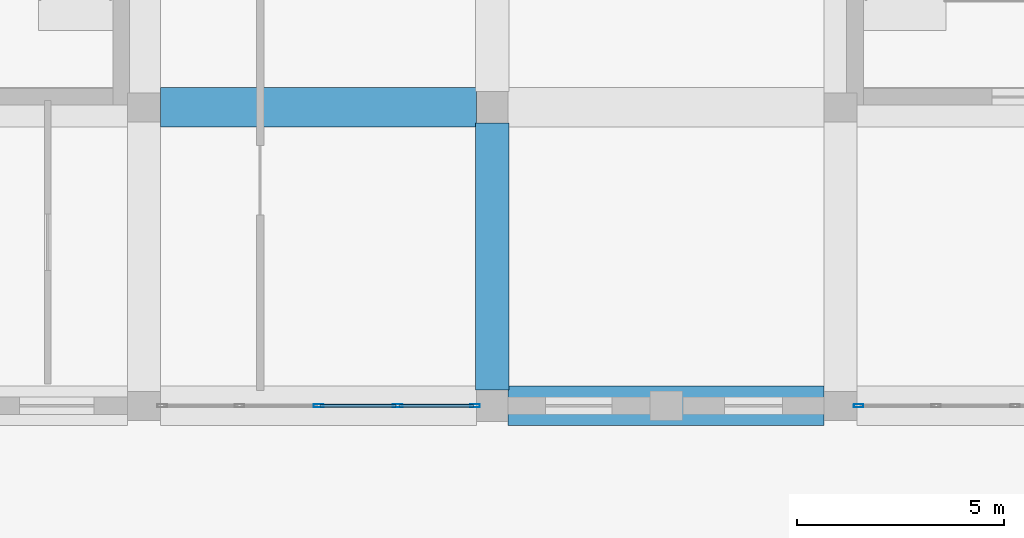
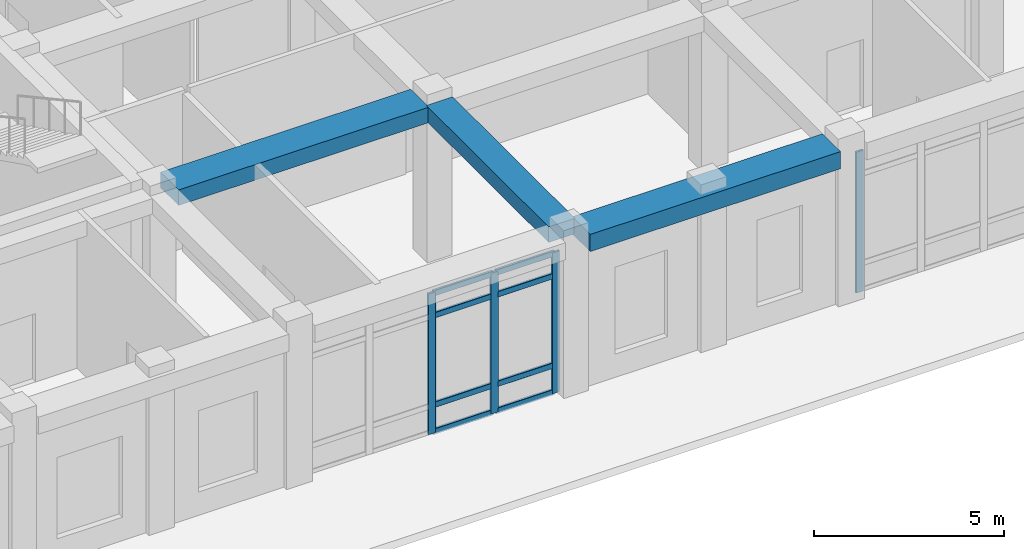
# One storey, part 19 of 84: 12 members, 3 beams, 2 elements without a shape of their own.
"""IFC4 building model written with IfcOpenShell, lengths in metres."""

import ifcopenshell
import ifcopenshell.guid

model = None  # the IFC model being written
_history = None  # IfcOwnerHistory: only IFC2X3 demands one
_inside = {}  # id of a spatial element -> (the spatial element, [elements in it])
_under = {}  # id of a project, library or spatial element -> (it, [spatial elements below it])
_declared = {}  # id of a project -> (the project, [libraries it declares])
_typed = {}  # id of a type object -> (the type object, [elements of that type])
_made_of = {}  # id of a material, layer set ... -> (it, [elements and type objects made of it])


def new_model(schema):
    """Start an empty IFC model of exactly this schema.

    Asked for "IFC4X3", IfcOpenShell would pick the latest addendum, in which some entities
    have other attributes; the version numbers below select the first issue.
    IFC2X3 requires an IfcOwnerHistory on every rooted entity: one is made here for all.
    """
    global model, _history
    if schema == "IFC4X3":
        model = ifcopenshell.file(schema_version=(4, 3, 0, 0))
    else:
        model = ifcopenshell.file(schema=schema)
    _inside.clear()
    _under.clear()
    _declared.clear()
    _typed.clear()
    _made_of.clear()
    _history = None
    if model.schema == "IFC2X3":
        org = make("IfcOrganization", Name="unknown")
        user = make(
            "IfcPersonAndOrganization",
            ThePerson=make("IfcPerson", FamilyName="unknown"),
            TheOrganization=org,
        )
        app = make(
            "IfcApplication",
            ApplicationDeveloper=org,
            Version="unknown",
            ApplicationFullName="unknown",
            ApplicationIdentifier="unknown",
        )
        _history = make(
            "IfcOwnerHistory",
            OwningUser=user,
            OwningApplication=app,
            ChangeAction="ADDED",
            CreationDate=0,
        )
    return model


def make(cls, **values):
    """One entity of the class cls with the attributes given. An attribute that is None is left unset."""
    return model.create_entity(
        cls, **{name: value for name, value in values.items() if value is not None}
    )


def rooted(cls, **values):
    """An entity with a GlobalId (a new one), such as an element, a storey or a relation."""
    return make(cls, GlobalId=ifcopenshell.guid.new(), OwnerHistory=_history, **values)


def si_unit(unit_type, name, prefix=None):
    """IfcSIUnit, for example si_unit("LENGTHUNIT", "METRE", prefix="MILLI")."""
    return make("IfcSIUnit", UnitType=unit_type, Prefix=prefix, Name=name)


def derived_unit(unit_type, elements):
    """IfcDerivedUnit: a product of units, each with its exponent."""
    return make(
        "IfcDerivedUnit",
        Elements=[
            make("IfcDerivedUnitElement", Unit=unit, Exponent=power)
            for unit, power in elements
        ],
        UnitType=unit_type,
    )


def assignment(units):
    """IfcUnitAssignment: the units of a project."""
    return None if units is None else make("IfcUnitAssignment", Units=units)


def point(xyz):
    """IfcCartesianPoint."""
    return None if xyz is None else make("IfcCartesianPoint", Coordinates=xyz)


def direction(xyz):
    """IfcDirection."""
    return None if xyz is None else make("IfcDirection", DirectionRatios=xyz)


def frame(location, z_axis=None, x_axis=None):
    """IfcAxis2Placement3D, a coordinate frame: its origin and axes. An axis left out is left unset."""
    return make(
        "IfcAxis2Placement3D",
        Location=point(location),
        Axis=direction(z_axis),
        RefDirection=direction(x_axis),
    )


def frame_2d(location, x_axis=None):
    """IfcAxis2Placement2D, a coordinate frame in the plane: its origin and x axis."""
    return make(
        "IfcAxis2Placement2D", Location=point(location), RefDirection=direction(x_axis)
    )


def origin():
    """The frame at (0, 0, 0) with its axes left unset."""
    return frame((0.0, 0.0, 0.0))


def origin_2d():
    """The frame at (0, 0) in the plane with its x axis left unset."""
    return frame_2d((0.0, 0.0))


def place(relative_to, where):
    """IfcLocalPlacement: puts the frame where relative to a parent placement (None: the world)."""
    return make(
        "IfcLocalPlacement", PlacementRelTo=relative_to, RelativePlacement=where
    )


def context(
    kind, dimensions, precision=None, world=None, true_north=None, identifier=None
):
    """IfcGeometricRepresentationContext, for example the 3D "Model" context."""
    return make(
        "IfcGeometricRepresentationContext",
        ContextIdentifier=identifier,
        ContextType=kind,
        CoordinateSpaceDimension=dimensions,
        Precision=precision,
        WorldCoordinateSystem=world,
        TrueNorth=true_north,
    )


def subcontext(parent, identifier, kind, view, scale=None):
    """IfcGeometricRepresentationSubContext, for example "Body" below "Model"."""
    return make(
        "IfcGeometricRepresentationSubContext",
        ContextIdentifier=identifier,
        ContextType=kind,
        ParentContext=parent,
        TargetScale=scale,
        TargetView=view,
    )


def project(units=None, contexts=None):
    """IfcProject with its units and contexts."""
    return rooted(
        "IfcProject",
        Name="project",
        RepresentationContexts=contexts,
        UnitsInContext=assignment(units),
    )


def spatial(cls, under=None, at=None, **own):
    """A site, building, storey or space (cls), placed at a placement, below another one or the project."""
    s = rooted(cls, ObjectPlacement=at, **own)
    if under is not None:
        _under.setdefault(under.id(), (under, []))[1].append(s)
    return s


def profile(cls, at=None, kind="AREA", **sizes):
    """A parametric profile (cls). Its sizes go by their IFC names, for example OverallWidth=200.0."""
    return make(cls, ProfileType=kind, Position=at, **sizes)


def rectangle(**sizes):
    """IfcRectangleProfileDef."""
    return profile("IfcRectangleProfileDef", **sizes)


def hollow_rectangle(**sizes):
    """IfcRectangleHollowProfileDef."""
    return profile("IfcRectangleHollowProfileDef", **sizes)


def extrude(swept, where, along, depth):
    """IfcExtrudedAreaSolid: the profile swept, set in the frame where, extruded along a direction by depth."""
    return make(
        "IfcExtrudedAreaSolid",
        SweptArea=swept,
        Position=where,
        ExtrudedDirection=direction(along),
        Depth=depth,
    )


def shape(context_of_items, identifier, shape_type, items):
    """IfcShapeRepresentation: the items that make up one representation, for example the "Body"."""
    return make(
        "IfcShapeRepresentation",
        ContextOfItems=context_of_items,
        RepresentationIdentifier=identifier,
        RepresentationType=shape_type,
        Items=items,
    )


def material(Name=None, Category=None):
    """IfcMaterial."""
    return make("IfcMaterial", Name=Name, Category=Category)


def material_profile(
    of_material, cross_section, Name=None, Category=None, Priority=None
):
    """IfcMaterialProfile: a cross section and its material."""
    return make(
        "IfcMaterialProfile",
        Name=Name,
        Material=of_material,
        Profile=cross_section,
        Priority=Priority,
        Category=Category,
    )


def profile_set(profiles, Name=None, composite=None):
    """IfcMaterialProfileSet."""
    return make(
        "IfcMaterialProfileSet",
        Name=Name,
        MaterialProfiles=profiles,
        CompositeProfile=composite,
    )


def made_of(thing, what):
    """Note that an element or type object is made of a material, layer set ...; save() writes the relation."""
    if what is not None:
        _made_of.setdefault(what.id(), (what, []))[1].append(thing)
    return thing


def type_object(cls, material=None, **own):
    """A type object (cls), such as IfcWallType, which elements share."""
    return made_of(rooted(cls, **own), material)


def element(
    cls,
    number,
    at=None,
    inside=None,
    cuts=None,
    type_object=None,
    material=None,
    context=None,
    identifier="Body",
    shape_type=None,
    held_by="IfcProductDefinitionShape",
    body=None,
    shapes=None,
    **own,
):
    """One element of the class cls, such as IfcWall. Its Tag is "e" and its number.

    at: its placement. inside: the storey or other place that contains it. cuts: it is an
    opening in that element (IfcRelVoidsElement). A single representation is given by context,
    identifier, shape_type and body (its items); several are given by shapes. held_by: the class
    of the entity that holds the representations. save() writes the other relations.
    """
    e = rooted(cls, Tag="e%d" % number, ObjectPlacement=at, **own)
    if body is not None:
        shapes = [shape(context, identifier, shape_type, body)]
    if shapes is not None:
        e.Representation = make(held_by, Representations=shapes)
    if inside is not None:
        _inside.setdefault(inside.id(), (inside, []))[1].append(e)
    if cuts is not None:
        rooted(
            "IfcRelVoidsElement", RelatingBuildingElement=cuts, RelatedOpeningElement=e
        )
    if type_object is not None:
        _typed.setdefault(type_object.id(), (type_object, []))[1].append(e)
    return made_of(e, material)


def aggregate(whole, parts):
    """IfcRelAggregates: a whole, such as a stair, and the parts it consists of."""
    return rooted("IfcRelAggregates", RelatingObject=whole, RelatedObjects=parts)


def save(model, path):
    """Write the relations noted so far, then the file.

    IfcRelAggregates (storeys below a building ...), IfcRelContainedInSpatialStructure (elements
    in a storey), IfcRelDefinesByType, IfcRelAssociatesMaterial and IfcRelDeclares: one each for
    every whole, place, type object, material and project.
    """
    for whole, parts in _under.values():
        aggregate(whole, parts)
    for where, things in _inside.values():
        rooted(
            "IfcRelContainedInSpatialStructure",
            RelatedElements=things,
            RelatingStructure=where,
        )
    for kind, things in _typed.values():
        rooted("IfcRelDefinesByType", RelatedObjects=things, RelatingType=kind)
    for what, things in _made_of.values():
        rooted("IfcRelAssociatesMaterial", RelatedObjects=things, RelatingMaterial=what)
    for by, libraries in _declared.values():
        rooted("IfcRelDeclares", RelatingContext=by, RelatedDefinitions=libraries)
    model.write(path)


model = new_model("IFC4")

# Units and contexts
model_context = context("Model", 3, precision=1e-05, world=origin(), true_north=direction((0.0, 1.0)))
body_context = subcontext(model_context, "Body", "Model", "MODEL_VIEW")
ifc_project = project(units=[si_unit("LENGTHUNIT", "METRE"), si_unit("AREAUNIT", "SQUARE_METRE"), si_unit("VOLUMEUNIT", "CUBIC_METRE"), si_unit("PLANEANGLEUNIT", "RADIAN"), si_unit("MASSUNIT", "GRAM", prefix="KILO"), derived_unit("THERMALTRANSMITTANCEUNIT", [(si_unit("POWERUNIT", "WATT"), 1), (si_unit("LENGTHUNIT", "METRE"), -2), (si_unit("THERMODYNAMICTEMPERATUREUNIT", "KELVIN"), -1)])], contexts=[model_context])

# Site, building, storey
site_placement = place(None, origin())
site = spatial("IfcSite", under=ifc_project, at=site_placement, CompositionType="ELEMENT")
building_placement = place(site_placement, origin())
building = spatial("IfcBuilding", under=site, at=building_placement, Name="Veybourne Emporium", CompositionType="ELEMENT")
storey_placement = place(building_placement, origin())
storey = spatial("IfcBuildingStorey", under=building, at=storey_placement, Name="L00", CompositionType="ELEMENT", Elevation=0.0)

# Curtain wall, member
ifc_material_1 = material(Name="Patinated Architectural Bronze", Category="bronze")
curtain_wall_type_1 = type_object("IfcCurtainWallType", Name="CWSystem_CWS-14", PredefinedType="NOTDEFINED", material=ifc_material_1)
curtain_wall_1_placement = place(storey_placement, origin())
curtain_wall_1 = element("IfcCurtainWall", 1, at=curtain_wall_1_placement, inside=storey, type_object=curtain_wall_type_1, Name="L00 bronze glazed curtain wall CWS-14 (065)", PredefinedType="NOTDEFINED")
ifc_material_profile_1 = material_profile(ifc_material_1, hollow_rectangle(XDim=0.074951171875, YDim=0.22998046875, WallThickness=0.0048828125, InnerFilletRadius=0.007568359375, OuterFilletRadius=0.012451171875, at=origin_2d()), Name="CWM 75x230x5")
ifc_profile_set_1 = profile_set([ifc_material_profile_1], Name="Patinated Architectural Bronze")
member_type_1 = type_object("IfcMemberType", Name="CWMullion_CW-M2", PredefinedType="MULLION", material=ifc_profile_set_1)
member_1_placement = place(storey_placement, frame((126.4375, 0.0, 0.0), z_axis=(0.0, 0.0, 1.0), x_axis=(0.0, -1.0, 0.0)))
member_1 = element("IfcMember", 2, at=member_1_placement, type_object=member_type_1, Name="CWS-14 mullion 5", PredefinedType="MULLION", context=body_context, shape_type="SweptSolid", body=[
    extrude(hollow_rectangle(XDim=0.074951171875, YDim=0.22998046875, WallThickness=0.0048828125, InnerFilletRadius=0.007568359375, OuterFilletRadius=0.012451171875, at=origin_2d()), origin(), (0.0, 0.0, 1.0), 4.530029296875),
])
aggregate(curtain_wall_1, [member_1])

# Curtain wall, members
curtain_wall_type_2 = type_object("IfcCurtainWallType", Name="CWSystem_CWS-11", PredefinedType="NOTDEFINED", material=ifc_material_1)
curtain_wall_2_placement = place(storey_placement, origin())
curtain_wall_2 = element("IfcCurtainWall", 3, at=curtain_wall_2_placement, inside=storey, type_object=curtain_wall_type_2, Name="L00 bronze glazed curtain wall CWS-11 (057)", PredefinedType="NOTDEFINED")
ifc_material_profile_2 = material_profile(ifc_material_1, hollow_rectangle(XDim=0.077880859375, YDim=0.235107421875, WallThickness=0.0048828125, InnerFilletRadius=0.007568359375, OuterFilletRadius=0.012451171875, at=origin_2d()), Name="CWM 78x235x5")
ifc_profile_set_2 = profile_set([ifc_material_profile_2], Name="Patinated Architectural Bronze")
member_type_2 = type_object("IfcMemberType", Name="CWMullion_CW-M3", PredefinedType="MULLION", material=ifc_profile_set_2)
member_2_placement = place(storey_placement, frame((117.18603515625, 0.0, 0.0), z_axis=(0.0, 0.0, 1.0), x_axis=(0.0, -1.0, 0.0)))
member_2 = element("IfcMember", 4, at=member_2_placement, type_object=member_type_2, Name="CWS-11 mullion 1", PredefinedType="MULLION", context=body_context, shape_type="SweptSolid", body=[
    extrude(hollow_rectangle(XDim=0.077880859375, YDim=0.235107421875, WallThickness=0.0048828125, InnerFilletRadius=0.007568359375, OuterFilletRadius=0.012451171875, at=origin_2d()), origin(), (0.0, 0.0, 1.0), 4.530029296875),
])
member_3_placement = place(storey_placement, frame((115.31884765625, 0.0, 0.0), z_axis=(0.0, 0.0, 1.0), x_axis=(0.0, -1.0, 0.0)))
member_3 = element("IfcMember", 5, at=member_3_placement, type_object=member_type_2, Name="CWS-11 mullion 2", PredefinedType="MULLION", context=body_context, shape_type="SweptSolid", body=[
    extrude(hollow_rectangle(XDim=0.077880859375, YDim=0.235107421875, WallThickness=0.0048828125, InnerFilletRadius=0.007568359375, OuterFilletRadius=0.012451171875, at=origin_2d()), origin(), (0.0, 0.0, 1.0), 4.530029296875),
])
member_4_placement = place(storey_placement, frame((113.41259765625, 0.0, 0.0), z_axis=(0.0, 0.0, 1.0), x_axis=(0.0, -1.0, 0.0)))
member_4 = element("IfcMember", 6, at=member_4_placement, type_object=member_type_2, Name="CWS-11 mullion 3", PredefinedType="MULLION", context=body_context, shape_type="SweptSolid", body=[
    extrude(hollow_rectangle(XDim=0.077880859375, YDim=0.235107421875, WallThickness=0.0048828125, InnerFilletRadius=0.007568359375, OuterFilletRadius=0.012451171875, at=origin_2d()), origin(), (0.0, 0.0, 1.0), 4.530029296875),
])
ifc_material_profile_3 = material_profile(ifc_material_1, hollow_rectangle(XDim=0.077880859375, YDim=0.18505859375, WallThickness=0.0048828125, InnerFilletRadius=0.007568359375, OuterFilletRadius=0.012451171875, at=origin_2d()), Name="CWT 78x185x5")
ifc_profile_set_3 = profile_set([ifc_material_profile_3], Name="Patinated Architectural Bronze")
member_type_3 = type_object("IfcMemberType", Name="CWTransom_CW-T3", PredefinedType="NOTDEFINED", material=ifc_profile_set_3)
member_5_placement = place(storey_placement, frame((117.14697265625, 0.0, 0.0390625), z_axis=(-1.0, 0.0, 0.0), x_axis=(0.0, -1.0, 0.0)))
member_5 = element("IfcMember", 7, at=member_5_placement, type_object=member_type_3, Name="CWS-11 transom 1.1", ObjectType="TRANSOM", PredefinedType="USERDEFINED", context=body_context, shape_type="SweptSolid", body=[
    extrude(hollow_rectangle(XDim=0.077880859375, YDim=0.18505859375, WallThickness=0.0048828125, InnerFilletRadius=0.007568359375, OuterFilletRadius=0.012451171875, at=origin_2d()), origin(), (0.0, 0.0, 1.0), 1.789306640625),
])
member_6_placement = place(storey_placement, frame((117.14697265625, 0.0, 0.89990234375), z_axis=(-1.0, 0.0, 0.0), x_axis=(0.0, -1.0, 0.0)))
member_6 = element("IfcMember", 8, at=member_6_placement, type_object=member_type_3, Name="CWS-11 transom 1.2", ObjectType="TRANSOM", PredefinedType="USERDEFINED", context=body_context, shape_type="SweptSolid", body=[
    extrude(hollow_rectangle(XDim=0.077880859375, YDim=0.18505859375, WallThickness=0.0048828125, InnerFilletRadius=0.007568359375, OuterFilletRadius=0.012451171875, at=origin_2d()), origin(), (0.0, 0.0, 1.0), 1.789306640625),
])
member_7_placement = place(storey_placement, frame((117.14697265625, 0.0, 3.780029296875), z_axis=(-1.0, 0.0, 0.0), x_axis=(0.0, -1.0, 0.0)))
member_7 = element("IfcMember", 9, at=member_7_placement, type_object=member_type_3, Name="CWS-11 transom 1.3", ObjectType="TRANSOM", PredefinedType="USERDEFINED", context=body_context, shape_type="SweptSolid", body=[
    extrude(hollow_rectangle(XDim=0.077880859375, YDim=0.18505859375, WallThickness=0.0048828125, InnerFilletRadius=0.007568359375, OuterFilletRadius=0.012451171875, at=origin_2d()), origin(), (0.0, 0.0, 1.0), 1.789306640625),
])
member_8_placement = place(storey_placement, frame((117.14697265625, 0.0, 4.490966796875), z_axis=(-1.0, 0.0, 0.0), x_axis=(0.0, -1.0, 0.0)))
member_8 = element("IfcMember", 10, at=member_8_placement, type_object=member_type_3, Name="CWS-11 transom 1.4", ObjectType="TRANSOM", PredefinedType="USERDEFINED", context=body_context, shape_type="SweptSolid", body=[
    extrude(hollow_rectangle(XDim=0.077880859375, YDim=0.18505859375, WallThickness=0.0048828125, InnerFilletRadius=0.007568359375, OuterFilletRadius=0.012451171875, at=origin_2d()), origin(), (0.0, 0.0, 1.0), 1.789306640625),
])
member_9_placement = place(storey_placement, frame((115.27978515625, 0.0, 0.0390625), z_axis=(-1.0, 0.0, 0.0), x_axis=(0.0, -1.0, 0.0)))
member_9 = element("IfcMember", 11, at=member_9_placement, type_object=member_type_3, Name="CWS-11 transom 2.1", ObjectType="TRANSOM", PredefinedType="USERDEFINED", context=body_context, shape_type="SweptSolid", body=[
    extrude(hollow_rectangle(XDim=0.077880859375, YDim=0.18505859375, WallThickness=0.0048828125, InnerFilletRadius=0.007568359375, OuterFilletRadius=0.012451171875, at=origin_2d()), origin(), (0.0, 0.0, 1.0), 1.828369140625),
])
member_10_placement = place(storey_placement, frame((115.27978515625, 0.0, 0.89990234375), z_axis=(-1.0, 0.0, 0.0), x_axis=(0.0, -1.0, 0.0)))
member_10 = element("IfcMember", 12, at=member_10_placement, type_object=member_type_3, Name="CWS-11 transom 2.2", ObjectType="TRANSOM", PredefinedType="USERDEFINED", context=body_context, shape_type="SweptSolid", body=[
    extrude(hollow_rectangle(XDim=0.077880859375, YDim=0.18505859375, WallThickness=0.0048828125, InnerFilletRadius=0.007568359375, OuterFilletRadius=0.012451171875, at=origin_2d()), origin(), (0.0, 0.0, 1.0), 1.828369140625),
])
member_11_placement = place(storey_placement, frame((115.27978515625, 0.0, 3.780029296875), z_axis=(-1.0, 0.0, 0.0), x_axis=(0.0, -1.0, 0.0)))
member_11 = element("IfcMember", 13, at=member_11_placement, type_object=member_type_3, Name="CWS-11 transom 2.3", ObjectType="TRANSOM", PredefinedType="USERDEFINED", context=body_context, shape_type="SweptSolid", body=[
    extrude(hollow_rectangle(XDim=0.077880859375, YDim=0.18505859375, WallThickness=0.0048828125, InnerFilletRadius=0.007568359375, OuterFilletRadius=0.012451171875, at=origin_2d()), origin(), (0.0, 0.0, 1.0), 1.828369140625),
])
member_12_placement = place(storey_placement, frame((115.27978515625, 0.0, 4.490966796875), z_axis=(-1.0, 0.0, 0.0), x_axis=(0.0, -1.0, 0.0)))
member_12 = element("IfcMember", 14, at=member_12_placement, type_object=member_type_3, Name="CWS-11 transom 2.4", ObjectType="TRANSOM", PredefinedType="USERDEFINED", context=body_context, shape_type="SweptSolid", body=[
    extrude(hollow_rectangle(XDim=0.077880859375, YDim=0.18505859375, WallThickness=0.0048828125, InnerFilletRadius=0.007568359375, OuterFilletRadius=0.012451171875, at=origin_2d()), origin(), (0.0, 0.0, 1.0), 1.828369140625),
])
aggregate(curtain_wall_2, [member_2, member_3, member_4, member_5, member_6, member_7, member_8, member_9, member_10, member_11, member_12])

# Beams
ifc_material_2 = material(Name="Concrete C32/40", Category="concrete")
ifc_material_profile_4 = material_profile(ifc_material_2, rectangle(XDim=0.949951171875, YDim=0.5, at=origin_2d()), Name="RC 950x500")
ifc_profile_set_4 = profile_set([ifc_material_profile_4], Name="Concrete C32/40")
beam_type_1 = type_object("IfcBeamType", Name="RCBeam_BB-01", PredefinedType="BEAM", material=ifc_profile_set_4)
beam_1_placement = place(storey_placement, frame((109.60009765625, 7.199951171875, 4.830078125), z_axis=(1.0, 0.0, 0.0), x_axis=(0.0, 1.0, 0.0)))
element("IfcBeam", 15, at=beam_1_placement, inside=storey, type_object=beam_type_1, Name="L00 X-grid beam BB-01 (13,1)", PredefinedType="BEAM", context=body_context, shape_type="SweptSolid", body=[
    extrude(rectangle(XDim=0.949951171875, YDim=0.5, at=origin_2d()), origin(), (0.0, 0.0, 1.0), 7.625),
])
ifc_material_profile_5 = material_profile(ifc_material_2, rectangle(XDim=0.800048828125, YDim=0.5, at=origin_2d()), Name="RC 800x500")
ifc_profile_set_5 = profile_set([ifc_material_profile_5], Name="Concrete C32/40")
beam_type_2 = type_object("IfcBeamType", Name="RCBeam_BB-02", PredefinedType="BEAM", material=ifc_profile_set_5)
beam_2_placement = place(storey_placement, frame((117.60009765625, 0.375, 4.830078125), z_axis=(0.0, 1.0, 0.0), x_axis=(-1.0, 0.0, 0.0)))
element("IfcBeam", 16, at=beam_2_placement, inside=storey, type_object=beam_type_2, Name="L00 Y-grid beam BB-02 (14,0)", PredefinedType="BEAM", context=body_context, shape_type="SweptSolid", body=[
    extrude(rectangle(XDim=0.800048828125, YDim=0.5, at=origin_2d()), origin(), (0.0, 0.0, 1.0), 6.449951171875),
])
ifc_material_profile_6 = material_profile(ifc_material_2, rectangle(XDim=0.949951171875, YDim=0.550048828125, at=origin_2d()), Name="RC 950x550")
ifc_profile_set_6 = profile_set([ifc_material_profile_6], Name="Concrete C32/40")
beam_type_3 = type_object("IfcBeamType", Name="RCBeam_EB-01", PredefinedType="SPANDREL", material=ifc_profile_set_6)
beam_3_placement = place(storey_placement, frame((117.97509765625, 0.0, 4.804931640625), z_axis=(1.0, 0.0, 0.0), x_axis=(0.0, 1.0, 0.0)))
element("IfcBeam", 17, at=beam_3_placement, inside=storey, type_object=beam_type_3, Name="L00 X-grid beam EB-01 (14,0)", PredefinedType="SPANDREL", context=body_context, shape_type="SweptSolid", body=[
    extrude(rectangle(XDim=0.949951171875, YDim=0.550048828125, at=origin_2d()), origin(), (0.0, 0.0, 1.0), 7.625),
])

save(model, "model.ifc")
